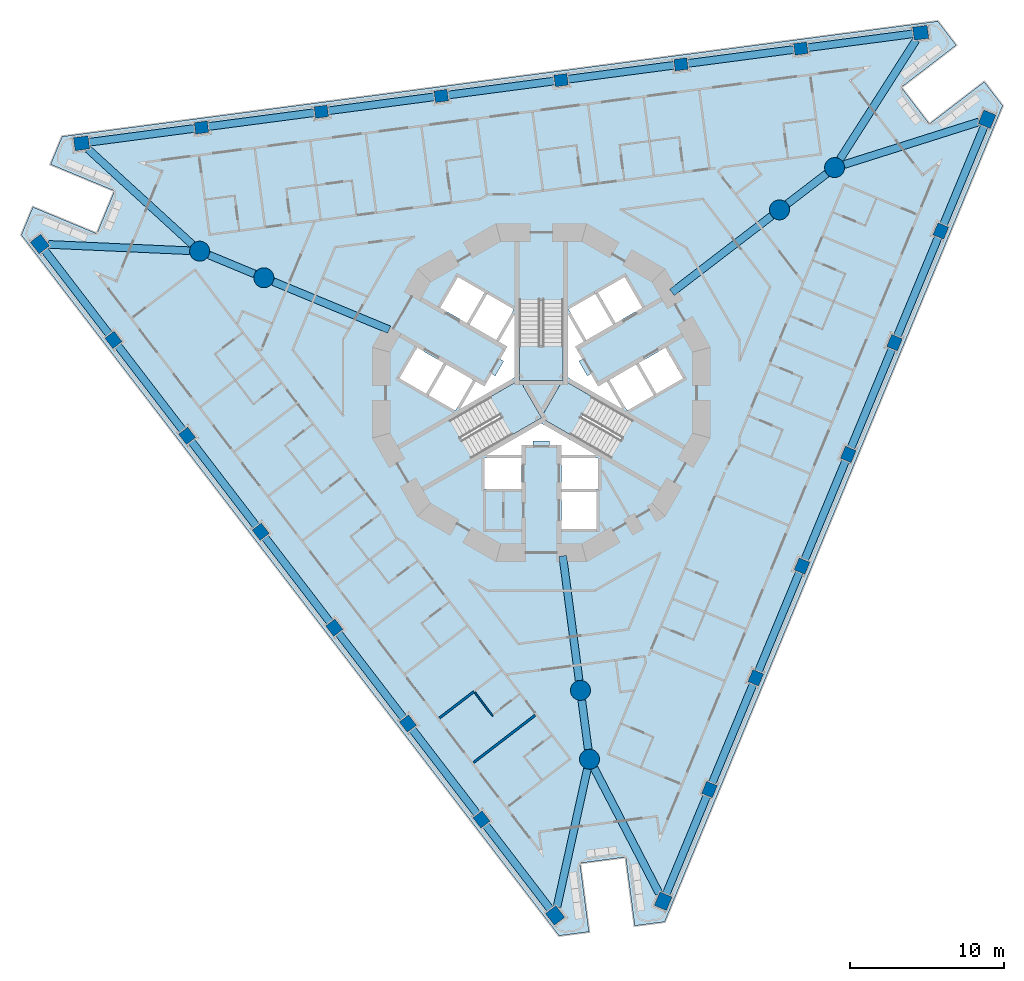
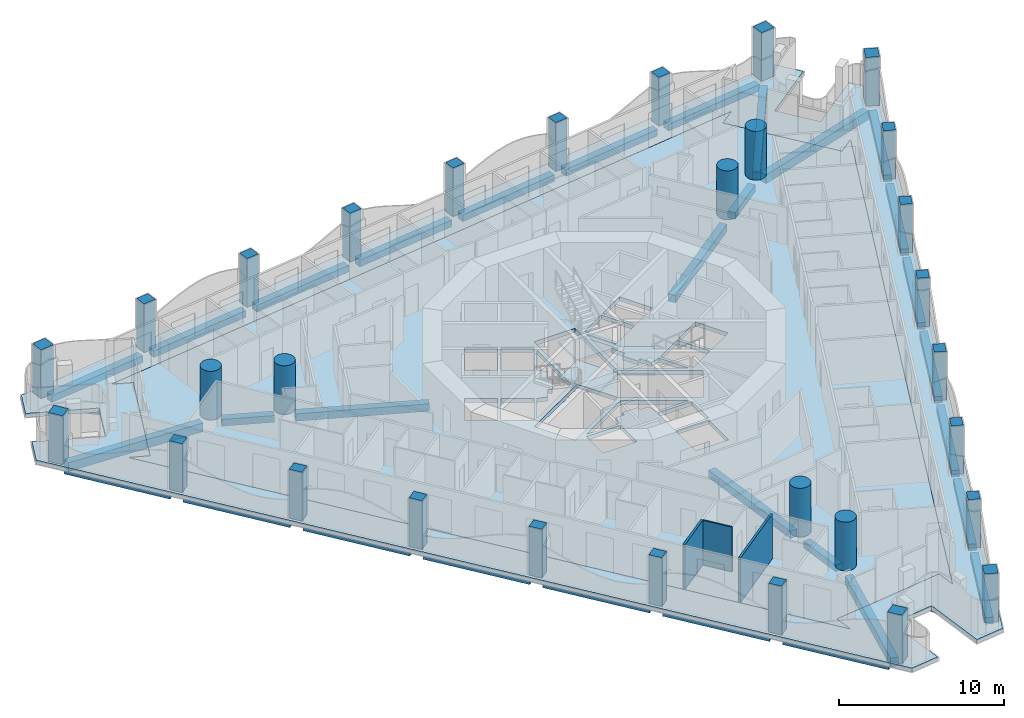
# One storey, part 1 of 19: 33 beams, 30 columns, 6 slabs, 3 walls, 3 elements without a shape of their own.
"""IFC4 building model written with IfcOpenShell, lengths in metres."""

from ifc_helpers import new_model, si_unit, direction, frame, frame_2d, origin, origin_2d, place, context, subcontext, project, spatial, polyline, rectangle, circle, outline, extrude, material, layer, layer_set, material_profile, profile_set, type_object, element, aggregate, save


model = new_model("IFC4")

# Units and contexts
model_context = context("Model", 3, precision=1e-05, world=origin(), true_north=direction((0.0, 1.0)))
body_context = subcontext(model_context, "Body", "Model", "MODEL_VIEW")
ifc_project = project(units=[si_unit("LENGTHUNIT", "METRE"), si_unit("AREAUNIT", "SQUARE_METRE"), si_unit("VOLUMEUNIT", "CUBIC_METRE"), si_unit("PLANEANGLEUNIT", "RADIAN"), si_unit("MASSUNIT", "GRAM", prefix="KILO")], contexts=[model_context])

# Site, building, storey
site_placement = place(None, origin())
site = spatial("IfcSite", under=ifc_project, at=site_placement, CompositionType="ELEMENT")
building_placement = place(site_placement, origin())
building = spatial("IfcBuilding", under=site, at=building_placement, Name="Trine Commons Tower", CompositionType="ELEMENT")
storey_placement = place(building_placement, frame((0.0, 0.0, 57.60009765625)))
storey = spatial("IfcBuildingStorey", under=building, at=storey_placement, Name="L13", CompositionType="ELEMENT", Elevation=57.60009765625)

# Columns
ifc_material_1 = material(Name="Concrete C80/95", Category="concrete")
ifc_material_profile_1 = material_profile(ifc_material_1, rectangle(XDim=0.85009765625, YDim=0.75, at=origin_2d()), Name="RC 850x750")
ifc_profile_set_1 = profile_set([ifc_material_profile_1], Name="Concrete C80/95")
column_type_1 = type_object("IfcColumnType", Name="RC column 850x750, C80/95", PredefinedType="COLUMN", material=ifc_profile_set_1)
for number, where, z_axis, x_axis, name in (
    (1, (76.1142578125, 34.74853515625, 0.0), (0.0, 0.0, 1.0), (-0.608761429009, 0.793353340291, 0.0), "Column PC2-02 L13"),
    (2, (71.3291015625, 40.984619140625, 0.0), (0.0, 0.0, 1.0), (-0.608761429009, 0.793353340291, 0.0), "Column PC2-03 L13"),
    (3, (66.5439453125, 47.220703125, 0.0), (0.0, 0.0, 1.0), (-0.608761429009, 0.793353340291, 0.0), "Column PC2-04 L13"),
    (4, (61.7587890625, 53.45703125, 0.0), (0.0, 0.0, 1.0), (-0.608761429009, 0.793353340291, 0.0), "Column PC2-05 L13"),
    (5, (56.9736328125, 59.693115234375, 0.0), (0.0, 0.0, 1.0), (-0.608761429009, 0.793353340291, 0.0), "Column PC2-06 L13"),
    (6, (52.1884765625, 65.92919921875, 0.0), (0.0, 0.0, 1.0), (-0.608761429009, 0.793353340291, 0.0), "Column PC2-07 L13"),
    (7, (57.9091796875, 79.740966796875, 0.0), (0.0, 0.0, 1.0), (0.991444861374, 0.13052619222, 0.0), "Column PC2-10 L13"),
    (8, (65.70263671875, 80.766845703125, 0.0), (0.0, 0.0, 1.0), (0.991444861374, 0.13052619222, 0.0), "Column PC2-11 L13"),
    (9, (73.495849609375, 81.79296875, 0.0), (0.0, 0.0, 1.0), (0.991444861374, 0.13052619222, 0.0), "Column PC2-12 L13"),
    (10, (81.2890625, 82.81884765625, 0.0), (0.0, 0.0, 1.0), (0.991444861374, 0.13052619222, 0.0), "Column PC2-13 L13"),
    (11, (89.08251953125, 83.844970703125, 0.0), (0.0, 0.0, 1.0), (0.991444861374, 0.13052619222, 0.0), "Column PC2-14 L13"),
    (12, (96.875732421875, 84.870849609375, 0.0), (0.0, 0.0, 1.0), (0.991444861374, 0.13052619222, 0.0), "Column PC2-15 L13"),
    (13, (105.976318359375, 73.010498046875, 0.0), (0.0, 0.0, 1.0), (0.382683432365, 0.923879532511, 0.0), "Column PC2-18 L13"),
    (14, (102.96826171875, 65.74853515625, 0.0), (0.0, 0.0, 1.0), (0.382683432365, 0.923879532511, 0.0), "Column PC2-19 L13"),
    (15, (99.960205078125, 58.486328125, 0.0), (0.0, 0.0, 1.0), (0.382683432365, 0.923879532511, 0.0), "Column PC2-20 L13"),
    (16, (96.9521484375, 51.22412109375, 0.0), (0.0, 0.0, 1.0), (0.382683432365, 0.923879532511, 0.0), "Column PC2-21 L13"),
    (17, (93.944091796875, 43.9619140625, 0.0), (0.0, 0.0, 1.0), (0.382683432365, 0.923879532511, 0.0), "Column PC2-22 L13"),
    (18, (90.935791015625, 36.69970703125, 0.0), (0.0, 0.0, 1.0), (0.382683432365, 0.923879532511, 0.0), "Column PC2-23 L13"),
):
    element("IfcColumn", number, at=place(storey_placement, frame(where, z_axis=z_axis, x_axis=x_axis)), inside=storey, type_object=column_type_1, Name=name, PredefinedType="COLUMN", context=body_context, shape_type="SweptSolid", body=[
        extrude(rectangle(XDim=0.85009765625, YDim=0.75, at=origin_2d()), origin(), (0.0, 0.0, 1.0), 3.599853515625),
    ])
ifc_material_profile_2 = material_profile(ifc_material_1, rectangle(XDim=0.949951171875, YDim=0.85009765625, at=origin_2d()), Name="RC 950x850")
ifc_profile_set_2 = profile_set([ifc_material_profile_2], Name="Concrete C80/95")
column_type_2 = type_object("IfcColumnType", Name="RC column 950x850, C80/95", PredefinedType="COLUMN", material=ifc_profile_set_2)
for number, where, z_axis, x_axis, name in (
    (19, (80.8994140625, 28.51220703125, 0.0), (0.0, 0.0, 1.0), (-0.608761429009, 0.793353340291, 0.0), "Column PC2-01 L13"),
    (20, (47.4033203125, 72.16552734375, 0.0), (0.0, 0.0, 1.0), (-0.608761429009, 0.793353340291, 0.0), "Column PC2-08 L13"),
    (21, (50.1162109375, 78.71484375, 0.0), (0.0, 0.0, 1.0), (0.991444861374, 0.13052619222, 0.0), "Column PC2-09 L13"),
    (22, (104.6689453125, 85.89697265625, 0.0), (0.0, 0.0, 1.0), (0.991444861374, 0.13052619222, 0.0), "Column PC2-16 L13"),
    (23, (108.984375, 80.272705078125, 0.0), (0.0, 0.0, 1.0), (0.382683432365, 0.923879532511, 0.0), "Column PC2-17 L13"),
    (24, (87.927734375, 29.4375, 0.0), (0.0, 0.0, 1.0), (0.382683432365, 0.923879532511, 0.0), "Column PC2-24 L13"),
):
    element("IfcColumn", number, at=place(storey_placement, frame(where, z_axis=z_axis, x_axis=x_axis)), inside=storey, type_object=column_type_2, Name=name, PredefinedType="COLUMN", context=body_context, shape_type="SweptSolid", body=[
        extrude(rectangle(XDim=0.949951171875, YDim=0.85009765625, at=origin_2d()), origin(), (0.0, 0.0, 1.0), 3.599853515625),
    ])
ifc_material_profile_3 = material_profile(ifc_material_1, circle(Radius=0.64990234375, at=origin_2d()), Name="RC round 1300")
ifc_profile_set_3 = profile_set([ifc_material_profile_3], Name="Concrete C80/95")
column_type_3 = type_object("IfcColumnType", Name="RC round column 1300 mm, C80/95", PredefinedType="COLUMN", material=ifc_profile_set_3)
for number, where, z_axis, x_axis, name in (
    (25, (82.548095703125, 43.14453125, 0.0), (0.0, 0.0, 1.0), (1.0, 0.0, 0.0), "Column WC2-1 L13"),
    (26, (83.1376953125, 38.6669921875, 0.0), (0.0, 0.0, 1.0), (1.0, 0.0, 0.0), "Column WC2-2 L13"),
    (27, (95.48828125, 74.384521484375, 0.0), (0.0, 0.0, 1.0), (1.0, 0.0, 0.0), "Column WC2-3 L13"),
    (28, (99.071044921875, 77.1337890625, 0.0), (0.0, 0.0, 1.0), (1.0, 0.0, 0.0), "Column WC2-4 L13"),
    (29, (61.963623046875, 69.970947265625, 0.0), (0.0, 0.0, 1.0), (1.0, 0.0, 0.0), "Column WC2-5 L13"),
    (30, (57.791259765625, 71.69921875, 0.0), (0.0, 0.0, 1.0), (1.0, 0.0, 0.0), "Column WC2-6 L13"),
):
    element("IfcColumn", number, at=place(storey_placement, frame(where, z_axis=z_axis, x_axis=x_axis)), inside=storey, type_object=column_type_3, Name=name, PredefinedType="COLUMN", context=body_context, shape_type="SweptSolid", body=[
        extrude(circle(Radius=0.64990234375, at=origin_2d()), origin(), (0.0, 0.0, 1.0), 3.599853515625),
    ])

# Beams
ifc_material_2 = material(Name="Concrete C50/60", Category="concrete")
ifc_material_profile_4 = material_profile(ifc_material_2, rectangle(XDim=0.5, YDim=0.5, at=origin_2d()), Name="RC 500x500")
ifc_profile_set_4 = profile_set([ifc_material_profile_4], Name="Concrete C50/60")
beam_type_1 = type_object("IfcBeamType", Name="RC beam 500x500, C50/60", PredefinedType="BEAM", material=ifc_profile_set_4)
beam_1_placement = place(storey_placement, frame((80.6103515625, 28.88916015625, -0.550048828125), z_axis=(-0.608757694977, 0.793356205501, 0.0), x_axis=(-0.793356205501, -0.608757694977, 0.0)))
element("IfcBeam", 31, at=beam_1_placement, inside=storey, type_object=beam_type_1, Name="Beam EB2-01 L13", PredefinedType="BEAM", context=body_context, shape_type="SweptSolid", body=[
    extrude(rectangle(XDim=0.5, YDim=0.5, at=origin_2d()), origin(), (0.0, 0.0, 1.0), 6.960693359375),
])
beam_2_placement = place(storey_placement, frame((75.855712890625, 35.085693359375, -0.550048828125), z_axis=(-0.608772912064, 0.793344528901, 0.0), x_axis=(-0.793344528901, -0.608772912064, 0.0)))
element("IfcBeam", 32, at=beam_2_placement, inside=storey, type_object=beam_type_1, Name="Beam EB2-02 L13", PredefinedType="BEAM", context=body_context, shape_type="SweptSolid", body=[
    extrude(rectangle(XDim=0.5, YDim=0.5, at=origin_2d()), origin(), (0.0, 0.0, 1.0), 7.010498046875),
])
beam_3_placement = place(storey_placement, frame((71.0703125, 41.322021484375, -0.550048828125), z_axis=(-0.608767812441, 0.793348442071, 0.0), x_axis=(-0.793348442071, -0.608767812441, 0.0)))
element("IfcBeam", 33, at=beam_3_placement, inside=storey, type_object=beam_type_1, Name="Beam EB2-03 L13", PredefinedType="BEAM", context=body_context, shape_type="SweptSolid", body=[
    extrude(rectangle(XDim=0.5, YDim=0.5, at=origin_2d()), origin(), (0.0, 0.0, 1.0), 7.01025390625),
])
for number, where, z_axis, x_axis, name in (
    (34, (66.285400390625, 47.55810546875, -0.550048828125), (-0.608772912064, 0.793344528901, 0.0), (-0.793344528901, -0.608772912064, 0.0), "Beam EB2-04 L13"),
    (35, (61.5, 53.794189453125, -0.550048828125), (-0.608750992772, 0.793361348188, 0.0), (-0.793361348188, -0.608750992772, 0.0), "Beam EB2-05 L13"),
):
    element("IfcBeam", number, at=place(storey_placement, frame(where, z_axis=z_axis, x_axis=x_axis)), inside=storey, type_object=beam_type_1, Name=name, PredefinedType="BEAM", context=body_context, shape_type="SweptSolid", body=[
        extrude(rectangle(XDim=0.5, YDim=0.5, at=origin_2d()), origin(), (0.0, 0.0, 1.0), 7.010498046875),
    ])
beam_4_placement = place(storey_placement, frame((56.71484375, 60.030517578125, -0.550048828125), z_axis=(-0.608789731625, 0.793331622128, 0.0), x_axis=(-0.793331622128, -0.608789731625, 0.0)))
element("IfcBeam", 36, at=beam_4_placement, inside=storey, type_object=beam_type_1, Name="Beam EB2-06 L13", PredefinedType="BEAM", context=body_context, shape_type="SweptSolid", body=[
    extrude(rectangle(XDim=0.5, YDim=0.5, at=origin_2d()), origin(), (0.0, 0.0, 1.0), 7.01025390625),
])
beam_5_placement = place(storey_placement, frame((51.9296875, 66.2666015625, -0.550048828125), z_axis=(-0.608757694977, 0.793356205501, 0.0), x_axis=(-0.793356205501, -0.608757694977, 0.0)))
element("IfcBeam", 37, at=beam_5_placement, inside=storey, type_object=beam_type_1, Name="Beam EB2-07 L13", PredefinedType="BEAM", context=body_context, shape_type="SweptSolid", body=[
    extrude(rectangle(XDim=0.5, YDim=0.5, at=origin_2d()), origin(), (0.0, 0.0, 1.0), 6.960693359375),
])
beam_6_placement = place(storey_placement, frame((50.5869140625, 78.77685546875, -0.550048828125), z_axis=(0.991446175382, 0.130516210946, 0.0), x_axis=(-0.130516210946, 0.991446175382, 0.0)))
element("IfcBeam", 38, at=beam_6_placement, inside=storey, type_object=beam_type_1, Name="Beam EB2-08 L13", PredefinedType="BEAM", context=body_context, shape_type="SweptSolid", body=[
    extrude(rectangle(XDim=0.5, YDim=0.5, at=origin_2d()), origin(), (0.0, 0.0, 1.0), 6.96044921875),
])
for number, where, z_axis, x_axis, name in (
    (39, (58.330810546875, 79.79638671875, -0.550048828125), (0.991444928767, 0.13052568032, 0.0), (-0.13052568032, 0.991444928767, 0.0), "Beam EB2-09 L13"),
    (40, (66.1240234375, 80.822509765625, -0.550048828125), (0.99144943492, 0.130491447984, 0.0), (-0.130491447984, 0.99144943492, 0.0), "Beam EB2-10 L13"),
    (41, (73.917236328125, 81.848388671875, -0.550048828125), (0.991444928767, 0.13052568032, 0.0), (-0.13052568032, 0.991444928767, 0.0), "Beam EB2-11 L13"),
    (42, (81.71044921875, 82.87451171875, -0.550048828125), (0.99144943492, 0.130491447984, 0.0), (-0.130491447984, 0.99144943492, 0.0), "Beam EB2-12 L13"),
    (43, (89.50390625, 83.900390625, -0.550048828125), (0.991444928767, 0.13052568032, 0.0), (-0.13052568032, 0.991444928767, 0.0), "Beam EB2-13 L13"),
):
    element("IfcBeam", number, at=place(storey_placement, frame(where, z_axis=z_axis, x_axis=x_axis)), inside=storey, type_object=beam_type_1, Name=name, PredefinedType="BEAM", context=body_context, shape_type="SweptSolid", body=[
        extrude(rectangle(XDim=0.5, YDim=0.5, at=origin_2d()), origin(), (0.0, 0.0, 1.0), 7.010498046875),
    ])
for number, where, z_axis, x_axis, name in (
    (44, (97.297119140625, 84.926513671875, -0.550048828125), (0.991446175382, 0.130516210946, 0.0), (-0.130516210946, 0.991446175382, 0.0), "Beam EB2-14 L13"),
    (45, (108.802490234375, 79.833984375, -0.550048828125), (-0.382671898974, -0.923884309714, 0.0), (0.923884309714, -0.382671898974, 0.0), "Beam EB2-15 L13"),
):
    element("IfcBeam", number, at=place(storey_placement, frame(where, z_axis=z_axis, x_axis=x_axis)), inside=storey, type_object=beam_type_1, Name=name, PredefinedType="BEAM", context=body_context, shape_type="SweptSolid", body=[
        extrude(rectangle(XDim=0.5, YDim=0.5, at=origin_2d()), origin(), (0.0, 0.0, 1.0), 6.96044921875),
    ])
beam_7_placement = place(storey_placement, frame((105.813720703125, 72.617919921875, -0.550048828125), z_axis=(-0.382693194178, -0.923875488976, 0.0), x_axis=(0.923875488976, -0.382693194178, 0.0)))
element("IfcBeam", 46, at=beam_7_placement, inside=storey, type_object=beam_type_1, Name="Beam EB2-16 L13", PredefinedType="BEAM", context=body_context, shape_type="SweptSolid", body=[
    extrude(rectangle(XDim=0.5, YDim=0.5, at=origin_2d()), origin(), (0.0, 0.0, 1.0), 7.010498046875),
])
for number, where, z_axis, x_axis, name in (
    (47, (102.8056640625, 65.35595703125, -0.550048828125), (-0.382680881742, -0.92388058901, 0.0), (0.92388058901, -0.382680881742, 0.0), "Beam EB2-17 L13"),
    (48, (99.797607421875, 58.09375, -0.550048828125), (-0.382680881742, -0.92388058901, 0.0), (0.92388058901, -0.382680881742, 0.0), "Beam EB2-18 L13"),
    (49, (96.78955078125, 50.83154296875, -0.550048828125), (-0.382680881742, -0.92388058901, 0.0), (0.92388058901, -0.382680881742, 0.0), "Beam EB2-19 L13"),
    (50, (93.781494140625, 43.5693359375, -0.550048828125), (-0.382710605355, -0.923868276622, 0.0), (0.923868276622, -0.382710605355, 0.0), "Beam EB2-20 L13"),
):
    element("IfcBeam", number, at=place(storey_placement, frame(where, z_axis=z_axis, x_axis=x_axis)), inside=storey, type_object=beam_type_1, Name=name, PredefinedType="BEAM", context=body_context, shape_type="SweptSolid", body=[
        extrude(rectangle(XDim=0.5, YDim=0.5, at=origin_2d()), origin(), (0.0, 0.0, 1.0), 7.0107421875),
    ])
beam_8_placement = place(storey_placement, frame((90.773193359375, 36.30712890625, -0.550048828125), z_axis=(-0.382671898974, -0.923884309714, 0.0), x_axis=(0.923884309714, -0.382671898974, 0.0)))
element("IfcBeam", 51, at=beam_8_placement, inside=storey, type_object=beam_type_1, Name="Beam EB2-21 L13", PredefinedType="BEAM", context=body_context, shape_type="SweptSolid", body=[
    extrude(rectangle(XDim=0.5, YDim=0.5, at=origin_2d()), origin(), (0.0, 0.0, 1.0), 6.96044921875),
])
beam_9_placement = place(storey_placement, frame((82.633056640625, 42.500732421875, -0.550048828125), z_axis=(0.130513398023, -0.991446545678, 0.0), x_axis=(0.991446545678, 0.130513398023, 0.0)))
element("IfcBeam", 52, at=beam_9_placement, inside=storey, type_object=beam_type_1, Name="Beam RB2-02 L13", PredefinedType="BEAM", context=body_context, shape_type="SweptSolid", body=[
    extrude(rectangle(XDim=0.5, YDim=0.5, at=origin_2d()), origin(), (0.0, 0.0, 1.0), 3.217529296875),
])
beam_10_placement = place(storey_placement, frame((96.00341796875, 74.77978515625, -0.550048828125), z_axis=(0.793368133848, 0.608742149185, 0.0), x_axis=(-0.608742149185, 0.793368133848, 0.0)))
element("IfcBeam", 53, at=beam_10_placement, inside=storey, type_object=beam_type_1, Name="Beam RB2-04 L13", PredefinedType="BEAM", context=body_context, shape_type="SweptSolid", body=[
    extrude(rectangle(XDim=0.5, YDim=0.5, at=origin_2d()), origin(), (0.0, 0.0, 1.0), 3.21728515625),
])
beam_11_placement = place(storey_placement, frame((61.363037109375, 70.2197265625, -0.550048828125), z_axis=(-0.923878970326, 0.382684789598, 0.0), x_axis=(-0.382684789598, -0.923878970326, 0.0)))
element("IfcBeam", 54, at=beam_11_placement, inside=storey, type_object=beam_type_1, Name="Beam RB2-06 L13", PredefinedType="BEAM", context=body_context, shape_type="SweptSolid", body=[
    extrude(rectangle(XDim=0.5, YDim=0.5, at=origin_2d()), origin(), (0.0, 0.0, 1.0), 3.216064453125),
])
ifc_material_profile_5 = material_profile(ifc_material_2, rectangle(XDim=0.5, YDim=0.550048828125, at=origin_2d()), Name="RC 500x550")
ifc_profile_set_5 = profile_set([ifc_material_profile_5], Name="Concrete C50/60")
beam_type_2 = type_object("IfcBeamType", Name="RC beam 500x550, C50/60", PredefinedType="BEAM", material=ifc_profile_set_5)
for number, where, z_axis, x_axis, name in (
    (55, (81.3974609375, 51.885009765625, -0.5751953125), (0.13051869661, -0.991445848161, 0.0), (0.991445848161, 0.13051869661, 0.0), "Beam RB2-01 L13"),
    (56, (88.494140625, 69.017578125, -0.5751953125), (0.79334357443, 0.608774155916, 0.0), (-0.608774155916, 0.79334357443, 0.0), "Beam RB2-03 L13"),
):
    element("IfcBeam", number, at=place(storey_placement, frame(where, z_axis=z_axis, x_axis=x_axis)), inside=storey, type_object=beam_type_2, Name=name, PredefinedType="BEAM", context=body_context, shape_type="SweptSolid", body=[
        extrude(rectangle(XDim=0.5, YDim=0.550048828125, at=origin_2d()), origin(), (0.0, 0.0, 1.0), 8.166748046875),
    ])
beam_12_placement = place(storey_placement, frame((70.1083984375, 66.59716796875, -0.5751953125), z_axis=(-0.923875444746, 0.382693300953, 0.0), x_axis=(-0.382693300953, -0.923875444746, 0.0)))
element("IfcBeam", 57, at=beam_12_placement, inside=storey, type_object=beam_type_2, Name="Beam RB2-05 L13", PredefinedType="BEAM", context=body_context, shape_type="SweptSolid", body=[
    extrude(rectangle(XDim=0.5, YDim=0.550048828125, at=origin_2d()), origin(), (0.0, 0.0, 1.0), 8.165771484375),
])
ifc_material_profile_6 = material_profile(ifc_material_2, rectangle(XDim=0.5, YDim=0.64990234375, at=origin_2d()), Name="RC 500x650")
ifc_profile_set_6 = profile_set([ifc_material_profile_6], Name="Concrete C50/60")
beam_type_3 = type_object("IfcBeamType", Name="RC beam 500x650, C50/60", PredefinedType="BEAM", material=ifc_profile_set_6)
for number, where, z_axis, x_axis, name in (
    (58, (47.9580078125, 72.140625, -0.625), (0.998993680757, -0.044851151696, 0.0), (0.044851151696, 0.998993680757, 0.0), "Beam CB2-01 L13"),
    (59, (50.52587890625, 78.340087890625, -0.625), (0.738114574549, -0.674675384788, 0.0), (0.674675384788, 0.738114574549, 0.0), "Beam CB2-02 L13"),
    (60, (104.369873046875, 85.428955078125, -0.625), (-0.538318035677, -0.842741770927, 0.0), (0.842741770927, -0.538318035677, 0.0), "Beam CB2-03 L13"),
):
    element("IfcBeam", number, at=place(storey_placement, frame(where, z_axis=z_axis, x_axis=x_axis)), inside=storey, type_object=beam_type_3, Name=name, PredefinedType="BEAM", context=body_context, shape_type="SweptSolid", body=[
        extrude(rectangle(XDim=0.5, YDim=0.64990234375, at=origin_2d()), origin(), (0.0, 0.0, 1.0), 9.19384765625),
    ])
beam_13_placement = place(storey_placement, frame((108.454833984375, 80.10498046875, -0.625), z_axis=(-0.953349995529, -0.301867166193, 0.0), x_axis=(0.301867166193, -0.953349995529, 0.0)))
element("IfcBeam", 61, at=beam_13_placement, inside=storey, type_object=beam_type_3, Name="Beam CB2-04 L13", PredefinedType="BEAM", context=body_context, shape_type="SweptSolid", body=[
    extrude(rectangle(XDim=0.5, YDim=0.64990234375, at=origin_2d()), origin(), (0.0, 0.0, 1.0), 9.193359375),
])
for number, where, z_axis, x_axis, name in (
    (62, (87.672119140625, 29.930419921875, -0.625), (-0.460652760363, 0.887580438253, 0.0), (-0.887580438253, -0.460652760363, 0.0), "Beam CB2-05 L13"),
    (63, (81.01904296875, 29.0546875, -0.625), (0.215234621965, 0.976562367444, 0.0), (-0.976562367444, 0.215234621965, 0.0), "Beam CB2-06 L13"),
):
    element("IfcBeam", number, at=place(storey_placement, frame(where, z_axis=z_axis, x_axis=x_axis)), inside=storey, type_object=beam_type_3, Name=name, PredefinedType="BEAM", context=body_context, shape_type="SweptSolid", body=[
        extrude(rectangle(XDim=0.5, YDim=0.64990234375, at=origin_2d()), origin(), (0.0, 0.0, 1.0), 9.193603515625),
    ])

# Slabs
ifc_layer_1 = layer(ifc_material_2, 0.300048828125)
ifc_layer_set_1 = layer_set([ifc_layer_1], Name="Concrete C50/60")
slab_type_1 = type_object("IfcSlabType", Name="Loggia slab 300 mm, C50/60", PredefinedType="FLOOR", material=ifc_layer_set_1)
slab_1_placement = place(storey_placement, frame((0.0, 0.0, -0.300048828125)))
element("IfcSlab", 64, at=slab_1_placement, inside=storey, type_object=slab_type_1, Name="Loggia slab L13", PredefinedType="FLOOR", context=body_context, shape_type="SweptSolid", body=[
    extrude(outline(polyline([(88.02294921875, 28.099365234375), (109.998046875, 81.15185546875), (108.80224609375, 82.710205078125), (105.232177734375, 79.970703125), (103.406005859375, 82.3505859375), (106.97607421875, 85.090087890625), (105.780517578125, 86.6484375), (48.847900390625, 79.153076171875), (48.096435546875, 77.33837890625), (52.25390625, 75.616455078125), (51.105712890625, 72.8447265625), (46.948486328125, 74.56689453125), (46.19677734375, 72.752197265625), (81.154052734375, 27.195068359375), (83.101318359375, 27.451416015625), (82.513916015625, 31.912841796875), (85.48828125, 32.304443359375), (86.07568359375, 27.843017578125), (88.02294921875, 28.099365234375)]), holes=[polyline([(79.99658203125, 32.6455078125), (79.8212890625, 33.97900390625), (87.554443359375, 34.997314453125), (87.72998046875, 33.663818359375), (105.856201171875, 77.42431640625), (104.789306640625, 76.605712890625), (100.041015625, 82.793701171875), (101.10791015625, 83.612548828125), (54.14697265625, 77.429931640625), (55.3896484375, 76.915283203125), (52.40478515625, 69.708984375), (51.162109375, 70.2236328125), (79.99658203125, 32.6455078125)])]), origin(), (0.0, 0.0, 1.0), 0.300048828125),
])
ifc_layer_2 = layer(ifc_material_2, 0.300048828125)
ifc_layer_set_2 = layer_set([ifc_layer_2], Name="Concrete C50/60")
slab_type_2 = type_object("IfcSlabType", Name="PT flat slab 300 mm, C50/60", PredefinedType="FLOOR", material=ifc_layer_set_2)
slab_2_placement = place(storey_placement, frame((0.0, 0.0, -0.300048828125)))
element("IfcSlab", 65, at=slab_2_placement, inside=storey, type_object=slab_type_2, Name="Floor slab L13", PredefinedType="FLOOR", context=body_context, shape_type="SweptSolid", body=[
    extrude(outline(polyline([(51.162109375, 70.2236328125), (79.99658203125, 32.6455078125), (79.8212890625, 33.97900390625), (87.554443359375, 34.997314453125), (87.72998046875, 33.663818359375), (105.856201171875, 77.42431640625), (104.789306640625, 76.605712890625), (100.041015625, 82.793701171875), (101.10791015625, 83.612548828125), (54.14697265625, 77.429931640625), (55.3896484375, 76.915283203125), (52.40478515625, 69.708984375), (51.162109375, 70.2236328125)]), holes=[polyline([(76.300048828125, 56.25), (78.699951171875, 56.25), (78.699951171875, 58.25), (76.300048828125, 58.25), (76.300048828125, 56.25)]), polyline([(81.14990234375, 59.10009765625), (81.300048828125, 58.449951171875), (83.56494140625, 58.449951171875), (80.0, 60.508056640625), (76.43505859375, 58.449951171875), (78.699951171875, 58.449951171875), (78.85009765625, 59.10009765625), (79.449951171875, 59.10009765625), (79.449951171875, 59.360107421875), (80.550048828125, 59.360107421875), (80.550048828125, 59.10009765625), (81.14990234375, 59.10009765625)]), polyline([(80.0, 60.8544921875), (84.4755859375, 58.2705078125), (85.900390625, 60.73876953125), (81.425048828125, 63.32275390625), (81.425048828125, 68.490478515625), (78.574951171875, 68.490478515625), (78.574951171875, 63.32275390625), (74.099609375, 60.73876953125), (75.5244140625, 58.2705078125), (80.0, 60.8544921875)]), polyline([(73.83740234375, 64.325927734375), (72.687255859375, 62.333984375), (74.41943359375, 61.333984375), (75.5693359375, 63.325927734375), (73.83740234375, 64.325927734375)]), polyline([(71.93212890625, 65.426025390625), (70.781982421875, 63.43408203125), (72.51416015625, 62.43408203125), (73.6640625, 64.426025390625), (71.93212890625, 65.426025390625)]), polyline([(76.781005859375, 63.722900390625), (76.381103515625, 63.031005859375), (75.742919921875, 63.22607421875), (74.7099609375, 61.43798828125), (78.27490234375, 63.49609375), (78.27490234375, 67.612060546875), (77.242919921875, 65.823974609375), (77.73095703125, 65.368896484375), (77.3310546875, 64.676025390625), (77.555908203125, 64.5458984375), (77.006103515625, 63.593994140625), (76.781005859375, 63.722900390625)]), polyline([(76.4873046875, 68.916015625), (75.33740234375, 66.924072265625), (77.0693359375, 65.924072265625), (78.219482421875, 67.916015625), (76.4873046875, 68.916015625)]), polyline([(74.58203125, 70.015869140625), (73.43212890625, 68.02392578125), (75.1640625, 67.02392578125), (76.314208984375, 69.015869140625), (74.58203125, 70.015869140625)]), polyline([(81.300048828125, 53.64990234375), (83.60009765625, 53.64990234375), (83.60009765625, 56.050048828125), (81.300048828125, 56.050048828125), (81.300048828125, 53.64990234375)]), polyline([(81.300048828125, 56.25), (83.699951171875, 56.25), (83.699951171875, 58.25), (81.300048828125, 58.25), (81.300048828125, 56.25)]), polyline([(87.312744140625, 62.333984375), (86.16259765625, 64.325927734375), (84.4306640625, 63.325927734375), (85.58056640625, 61.333984375), (87.312744140625, 62.333984375)]), polyline([(89.218017578125, 63.43408203125), (88.06787109375, 65.426025390625), (86.3359375, 64.426025390625), (87.48583984375, 62.43408203125), (89.218017578125, 63.43408203125)]), polyline([(83.243896484375, 63.738037109375), (82.993896484375, 63.593994140625), (82.444091796875, 64.5458984375), (82.72705078125, 64.7099609375), (82.281005859375, 65.549072265625), (82.757080078125, 65.823974609375), (81.72509765625, 67.612060546875), (81.72509765625, 63.49609375), (85.2900390625, 61.43798828125), (84.257080078125, 63.22607421875), (83.618896484375, 63.031005859375), (83.243896484375, 63.738037109375)]), polyline([(82.9306640625, 65.924072265625), (84.66259765625, 66.924072265625), (83.5126953125, 68.916015625), (81.780517578125, 67.916015625), (82.9306640625, 65.924072265625)]), polyline([(84.8359375, 67.02392578125), (86.56787109375, 68.02392578125), (85.41796875, 70.015869140625), (83.685791015625, 69.015869140625), (84.8359375, 67.02392578125)])]), origin(), (0.0, 0.0, 1.0), 0.300048828125),
])
slab_3_placement = place(storey_placement, frame((0.0, 0.0, -0.300048828125)))
element("IfcSlab", 66, at=slab_3_placement, inside=storey, type_object=slab_type_2, Name="Floor slab L13 2", PredefinedType="FLOOR", context=body_context, shape_type="SweptSolid", body=[
    extrude(outline(polyline([(78.61328125, 63.300537109375), (80.0, 60.89892578125), (81.38671875, 63.300537109375), (78.61328125, 63.300537109375)])), origin(), (0.0, 0.0, 1.0), 0.300048828125),
])

# Stair, slab
stair_type = type_object("IfcStairType", Name="Exit stair, dog-leg, 24 risers of 150 mm", PredefinedType="HALF_TURN_STAIR", material=ifc_material_2)
stair_1_placement = place(storey_placement, origin())
stair_1 = element("IfcStair", 67, at=stair_1_placement, inside=storey, type_object=stair_type, Name="L13 Exit stair ST1A", PredefinedType="HALF_TURN_STAIR")
ifc_layer_3 = layer(ifc_material_2, 0.199951171875)
ifc_layer_set_3 = layer_set([ifc_layer_3], Name="Concrete C50/60")
slab_type_3 = type_object("IfcSlabType", Name="Stair landing slab 200 mm, C50/60", PredefinedType="LANDING", material=ifc_layer_set_3)
slab_4_placement = place(storey_placement, frame((0.0, 0.0, 1.599853515625)))
slab_4 = element("IfcSlab", 68, at=slab_4_placement, type_object=slab_type_3, Name="ST1A landing 1", PredefinedType="LANDING", context=body_context, shape_type="SweptSolid", body=[
    extrude(outline(polyline([(78.574951171875, 65.570556640625), (78.574951171875, 63.300537109375), (81.425048828125, 63.300537109375), (81.425048828125, 65.570556640625), (78.574951171875, 65.570556640625)])), origin(), (0.0, 0.0, 1.0), 0.199951171875),
])
aggregate(stair_1, [slab_4])

stair_2_placement = place(storey_placement, origin())
stair_2 = element("IfcStair", 69, at=stair_2_placement, inside=storey, type_object=stair_type, Name="L13 Exit stair ST2A", PredefinedType="HALF_TURN_STAIR")
slab_5_placement = place(storey_placement, frame((0.0, 0.0, 1.599853515625)))
slab_5 = element("IfcSlab", 70, at=slab_5_placement, type_object=slab_type_3, Name="ST2A landing 1", PredefinedType="LANDING", context=body_context, shape_type="SweptSolid", body=[
    extrude(outline(polyline([(78.05322265625, 59.730712890625), (80.019287109375, 60.86572265625), (78.59423828125, 63.333740234375), (76.628173828125, 62.19873046875), (78.05322265625, 59.730712890625)])), origin(), (0.0, 0.0, 1.0), 0.199951171875),
])
aggregate(stair_2, [slab_5])

stair_3_placement = place(storey_placement, origin())
stair_3 = element("IfcStair", 71, at=stair_3_placement, inside=storey, type_object=stair_type, Name="L13 Exit stair ST3A", PredefinedType="HALF_TURN_STAIR")
slab_6_placement = place(storey_placement, frame((0.0, 0.0, 1.599853515625)))
slab_6 = element("IfcSlab", 72, at=slab_6_placement, type_object=slab_type_3, Name="ST3A landing 1", PredefinedType="LANDING", context=body_context, shape_type="SweptSolid", body=[
    extrude(outline(polyline([(83.371826171875, 62.19873046875), (81.40576171875, 63.333740234375), (79.980712890625, 60.86572265625), (81.94677734375, 59.730712890625), (83.371826171875, 62.19873046875)])), origin(), (0.0, 0.0, 1.0), 0.199951171875),
])
aggregate(stair_3, [slab_6])

# Walls
ifc_material_3 = material(Name="Gypsum plasterboard on steel stud", Category="steel")
ifc_layer_4 = layer(ifc_material_3, 0.14990234375)
ifc_layer_set_4 = layer_set([ifc_layer_4], Name="Gypsum plasterboard on steel stud")
wall_type_1 = type_object("IfcWallType", Name="Unit and corridor wall 150 mm, EI 60", PredefinedType="PARTITIONING", material=ifc_layer_set_4)
wall_1_placement = place(storey_placement, frame((73.373779296875, 41.34228515625, 0.0), z_axis=(0.0, 0.0, 1.0), x_axis=(0.793546848587, 0.608509161063, 0.0)))
element("IfcWall", 73, at=wall_1_placement, inside=storey, type_object=wall_type_1, Name="Partition 064", PredefinedType="PARTITIONING", context=body_context, shape_type="SweptSolid", body=[
    extrude(rectangle(XDim=2.83935546875, YDim=0.14990234375, at=frame_2d((1.419677734375, 0.0))), origin(), (0.0, 0.0, 1.0), 3.2998046875),
])
wall_2_placement = place(storey_placement, frame((75.5927734375, 38.451416015625, 0.0), z_axis=(0.0, 0.0, 1.0), x_axis=(0.793302827183, 0.608827253318, 0.0)))
element("IfcWall", 74, at=wall_2_placement, inside=storey, type_object=wall_type_1, Name="Partition 070", PredefinedType="PARTITIONING", context=body_context, shape_type="SweptSolid", body=[
    extrude(rectangle(XDim=5.0634765625, YDim=0.14990234375, at=frame_2d((2.53173828125, 0.0))), origin(), (0.0, 0.0, 1.0), 3.2998046875),
])
ifc_layer_5 = layer(ifc_material_3, 0.10009765625)
ifc_layer_set_5 = layer_set([ifc_layer_5], Name="Gypsum plasterboard on steel stud")
wall_type_2 = type_object("IfcWallType", Name="Unit partition 100 mm, no rating", PredefinedType="PARTITIONING", material=ifc_layer_set_5)
wall_3_placement = place(storey_placement, frame((75.672607421875, 43.010498046875, 0.0), z_axis=(0.0, 0.0, 1.0), x_axis=(0.608790940556, -0.793330694412, 0.0)))
element("IfcWall", 75, at=wall_3_placement, inside=storey, type_object=wall_type_2, Name="Partition 071", PredefinedType="PARTITIONING", context=body_context, shape_type="SweptSolid", body=[
    extrude(rectangle(XDim=1.9248046875, YDim=0.10009765625, at=frame_2d((0.96240234375, 0.0))), origin(), (0.0, 0.0, 1.0), 3.2998046875),
])

save(model, "model.ifc")
